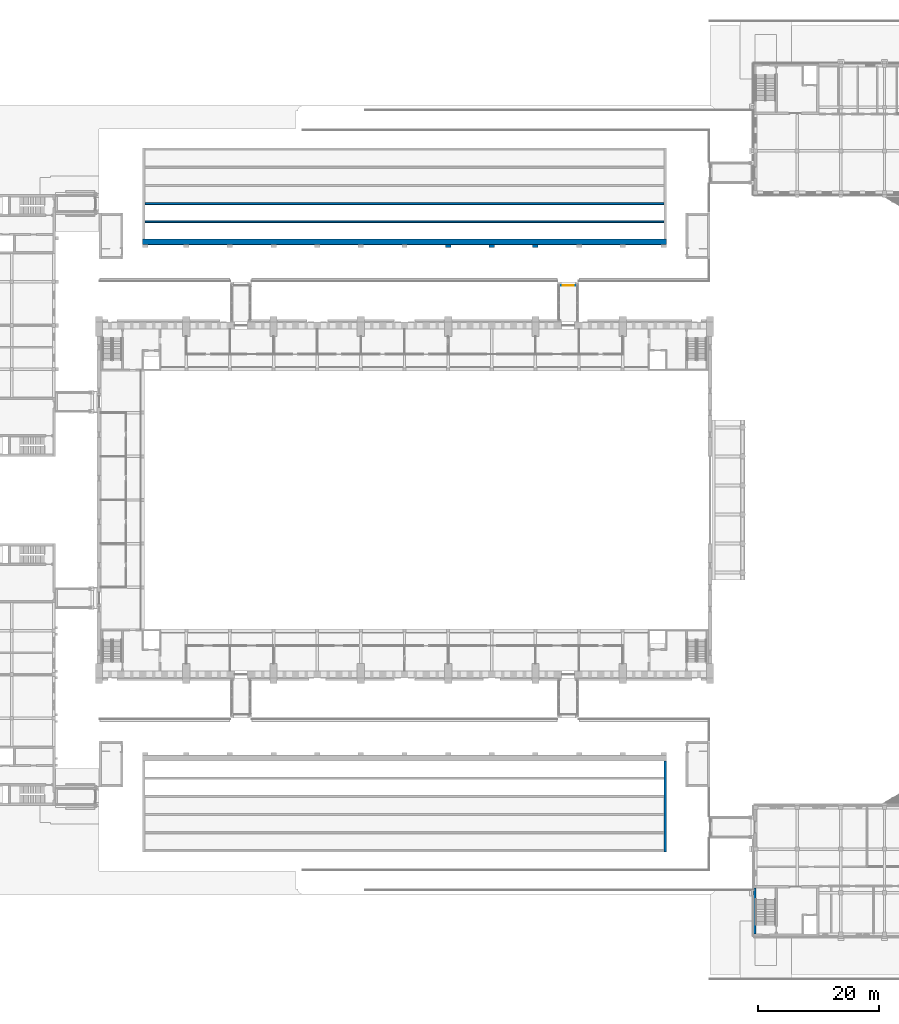
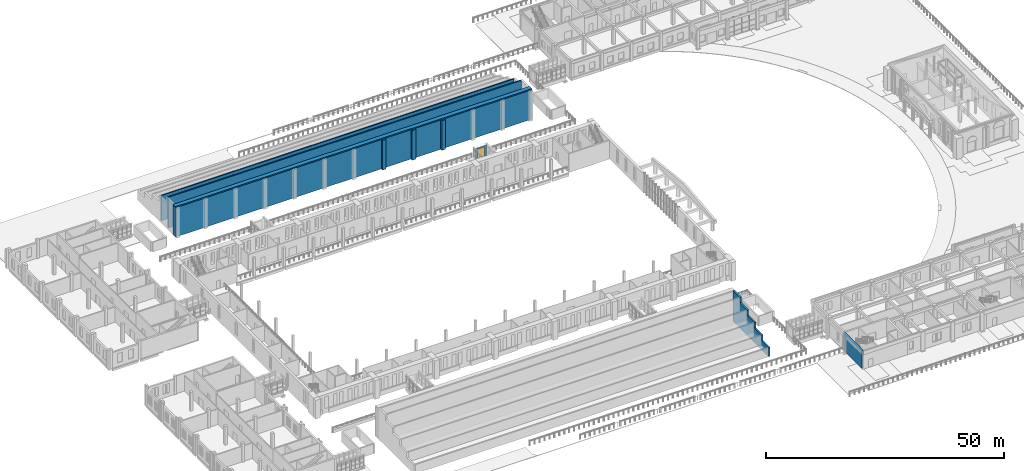
# One storey, part 88 of 131: 10 walls, 1 door, 1 opening.
"""IFC4 building model written with IfcOpenShell, lengths in metres."""

from ifc_helpers import new_model, si_unit, direction, frame, frame_2d, origin, place, context, subcontext, project, spatial, polyline, rectangle, outline, extrude, material, layer, layer_set, type_object, element, fill, save


model = new_model("IFC4")

# Units and contexts
model_context = context("Model", 3, precision=1e-05, world=origin(), true_north=direction((0.0, 1.0)))
body_context = subcontext(model_context, "Body", "Model", "MODEL_VIEW")
ifc_project = project(units=[si_unit("LENGTHUNIT", "METRE"), si_unit("AREAUNIT", "SQUARE_METRE"), si_unit("VOLUMEUNIT", "CUBIC_METRE"), si_unit("PLANEANGLEUNIT", "RADIAN"), si_unit("MASSUNIT", "GRAM", prefix="KILO")], contexts=[model_context])

# Site, building, storey
site_placement = place(None, origin())
site = spatial("IfcSite", under=ifc_project, at=site_placement, CompositionType="ELEMENT")
building_placement = place(site_placement, origin())
building = spatial("IfcBuilding", under=site, at=building_placement, Name="Alderwick Market Hall", CompositionType="ELEMENT")
storey_placement = place(building_placement, frame((0.0, 0.0, 4.800048828125)))
storey = spatial("IfcBuildingStorey", under=building, at=storey_placement, Name="L00", CompositionType="ELEMENT", Elevation=4.800048828125)

# Walls
ifc_material_1 = material(Name="Cast stone 5000 psi", Category="masonry")
ifc_layer_1 = layer(ifc_material_1, 1.0)
ifc_layer_set_1 = layer_set([ifc_layer_1], Name="Cast stone 5000 psi")
wall_type_1 = type_object("IfcWallType", Name="A Cast Stone Bank Coping 1000", PredefinedType="SOLIDWALL", material=ifc_layer_set_1)
wall_1_placement = place(storey_placement, frame((57.60009765625, 121.75, 7.599853515625), z_axis=(0.0, 0.0, 1.0), x_axis=(1.0, 0.0, 0.0)))
element("IfcWall", 1, at=wall_1_placement, inside=storey, type_object=wall_type_1, Name="Bank coping", PredefinedType="SOLIDWALL", context=body_context, shape_type="SweptSolid", body=[
    extrude(rectangle(XDim=86.39990234375, YDim=1.0, at=frame_2d((43.199951171875, 0.0))), origin(), (0.0, 0.0, 1.0), 0.300048828125),
])
ifc_material_2 = material(Name="Concrete 5000 psi (f'c 35 MPa)", Category="concrete")
ifc_layer_2 = layer(ifc_material_2, 0.89990234375)
ifc_layer_set_2 = layer_set([ifc_layer_2], Name="Concrete 5000 psi (f'c 35 MPa)")
wall_type_2 = type_object("IfcWallType", Name="A RC Bank Buttress 900", PredefinedType="SOLIDWALL", material=ifc_layer_set_2)
for number, where, z_axis, x_axis, name in (
    (2, (108.0, 121.35009765625, 0.0), (0.0, 0.0, 1.0), (0.0, -1.0, 0.0), "Bank buttress"),
    (3, (115.199951171875, 121.35009765625, 0.0), (0.0, 0.0, 1.0), (0.0, -1.0, 0.0), "Bank buttress"),
    (4, (122.39990234375, 121.35009765625, 0.0), (0.0, 0.0, 1.0), (0.0, -1.0, 0.0), "Bank buttress"),
):
    element("IfcWall", number, at=place(storey_placement, frame(where, z_axis=z_axis, x_axis=x_axis)), inside=storey, type_object=wall_type_2, Name=name, PredefinedType="SOLIDWALL", context=body_context, shape_type="SweptSolid", body=[
        extrude(rectangle(XDim=0.5, YDim=0.89990234375, at=frame_2d((0.25, 0.0))), origin(), (0.0, 0.0, 1.0), 7.599853515625),
    ])
ifc_layer_3 = layer(ifc_material_2, 0.39990234375)
ifc_layer_set_3 = layer_set([ifc_layer_3], Name="Concrete 5000 psi (f'c 35 MPa)")
wall_type_3 = type_object("IfcWallType", Name="A RC Bank Cheek Wall 400", PredefinedType="SOLIDWALL", material=ifc_layer_set_3)
wall_2_placement = place(storey_placement, frame((143.800048828125, 36.14990234375, 0.0), z_axis=(0.0, 0.0, 1.0), x_axis=(0.0, -1.0, 0.0)))
element("IfcWall", 5, at=wall_2_placement, inside=storey, type_object=wall_type_3, Name="Bank cheek wall", PredefinedType="SOLIDWALL", context=body_context, shape_type="SweptSolid", body=[
    extrude(outline(polyline([(0.0, 0.0), (15.0, 0.0), (15.0, 2.300048828125), (12.0009765625, 2.300048828125), (12.0, 3.699951171875), (9.0009765625, 3.699951171875), (9.0, 5.099853515625), (6.0009765625, 5.099853515625), (6.0, 6.5), (3.0009765625, 6.5), (3.0, 7.89990234375), (0.0, 7.89990234375), (0.0, 0.0)])), frame((0.0, 0.199951171875, 0.0), z_axis=(0.0, -1.0, 0.0), x_axis=(1.0, 0.0, 0.0)), (0.0, 0.0, 1.0), 0.39990234375),
])
ifc_layer_4 = layer(ifc_material_2, 0.89990234375)
ifc_layer_set_4 = layer_set([ifc_layer_4], Name="Concrete 5000 psi (f'c 35 MPa)")
wall_type_4 = type_object("IfcWallType", Name="A RC Bank Retaining Wall 900", PredefinedType="SOLIDWALL", material=ifc_layer_set_4)
wall_3_placement = place(storey_placement, frame((57.60009765625, 121.800048828125, 0.0), z_axis=(0.0, 0.0, 1.0), x_axis=(1.0, 0.0, 0.0)))
element("IfcWall", 6, at=wall_3_placement, inside=storey, type_object=wall_type_4, Name="Bank retaining wall", PredefinedType="SOLIDWALL", context=body_context, shape_type="SweptSolid", body=[
    extrude(rectangle(XDim=86.39990234375, YDim=0.89990234375, at=frame_2d((43.199951171875, 0.0))), origin(), (0.0, 0.0, 1.0), 7.599853515625),
])
ifc_layer_5 = layer(ifc_material_2, 0.300048828125)
ifc_layer_set_5 = layer_set([ifc_layer_5], Name="Concrete 5000 psi (f'c 35 MPa)")
wall_type_5 = type_object("IfcWallType", Name="A RC Terrace Parapet Wall 300", PredefinedType="SOLIDWALL", material=ifc_layer_set_5)
wall_4_placement = place(storey_placement, frame((58.0, 125.10009765625, 0.0), z_axis=(0.0, 0.0, 1.0), x_axis=(1.0, 0.0, 0.0)))
element("IfcWall", 7, at=wall_4_placement, inside=storey, type_object=wall_type_5, Name="Terrace parapet wall 1", PredefinedType="SOLIDWALL", context=body_context, shape_type="SweptSolid", body=[
    extrude(rectangle(XDim=85.60009765625, YDim=0.300048828125, at=frame_2d((42.800048828125, 0.0))), origin(), (0.0, 0.0, 1.0), 7.89990234375),
])
wall_5_placement = place(storey_placement, frame((58.0, 128.10009765625, 0.0), z_axis=(0.0, 0.0, 1.0), x_axis=(1.0, 0.0, 0.0)))
element("IfcWall", 8, at=wall_5_placement, inside=storey, type_object=wall_type_5, Name="Terrace parapet wall 2", PredefinedType="SOLIDWALL", context=body_context, shape_type="SweptSolid", body=[
    extrude(rectangle(XDim=85.60009765625, YDim=0.300048828125, at=frame_2d((42.800048828125, 0.0))), origin(), (0.0, 0.0, 1.0), 6.5),
])
ifc_layer_6 = layer(ifc_material_2, 0.39990234375)
ifc_layer_set_6 = layer_set([ifc_layer_6], Name="Concrete 5000 psi (f'c 35 MPa)")
wall_type_6 = type_object("IfcWallType", Name="C Core Wall Concrete 5000 psi 400", PredefinedType="SHEAR", material=ifc_layer_set_6)
wall_6_placement = place(storey_placement, frame((158.60009765625, 7.60009765625, 0.0), z_axis=(0.0, 0.0, 1.0), x_axis=(0.0, 1.0, 0.0)))
element("IfcWall", 9, at=wall_6_placement, inside=storey, type_object=wall_type_6, Name="C.wall.L00.fac.west.03", PredefinedType="SHEAR", context=body_context, shape_type="SweptSolid", body=[
    extrude(rectangle(XDim=7.599853515625, YDim=0.39990234375, at=frame_2d((3.7998046875, 0.0))), origin(), (0.0, 0.0, 1.0), 4.550048828125),
])

# Wall, opening, door
ifc_material_3 = material(Name="Aluminium frame with glazing infill", Category="aluminium")
ifc_layer_7 = layer(ifc_material_3, 0.1201171875)
ifc_layer_set_7 = layer_set([ifc_layer_7], Name="Aluminium frame with glazing infill")
wall_type_7 = type_object("IfcWallType", Name="P Glazed End Wall 120", PredefinedType="SOLIDWALL", material=ifc_layer_set_7)
wall_7_placement = place(storey_placement, frame((126.3759765625, 114.590087890625, 0.0), z_axis=(0.0, 0.0, 1.0), x_axis=(1.0, 0.0, 0.0)))
wall_7 = element("IfcWall", 10, at=wall_7_placement, inside=storey, type_object=wall_type_7, Name="P.P2.endwall.high", PredefinedType="SOLIDWALL", context=body_context, shape_type="SweptSolid", body=[
    extrude(rectangle(XDim=2.84814453125, YDim=0.1201171875, at=frame_2d((1.424072265625, 0.0))), origin(), (0.0, 0.0, 1.0), 2.7529296875),
])
opening_placement = place(wall_7_placement, frame((0.52392578125, 0.0, 0.0)))
opening = element("IfcOpeningElement", 11, at=opening_placement, cuts=wall_7, Name="Opening P-D002", PredefinedType="OPENING", context=body_context, shape_type="SweptSolid", body=[
    extrude(rectangle(XDim=1.800048828125, YDim=2.39990234375, at=frame_2d((0.89990234375, 1.199951171875))), frame((0.0, 0.070068359375, 0.0), z_axis=(0.0, -1.0, 0.0), x_axis=(1.0, 0.0, 0.0)), (0.0, 0.0, 1.0), 0.14013671875),
])
ifc_material_4 = material(Name="Aluminium frame and glass", Category="aluminium")
door_type = type_object("IfcDoorType", Name="P Glazed Double Door 1800x2400", OperationType="DOUBLE_DOOR_DOUBLE_SWING", PredefinedType="DOOR", material=ifc_material_4)
door_placement = place(opening_placement, origin())
door = element("IfcDoor", 12, at=door_placement, inside=storey, type_object=door_type, Name="Passage door onto the roof", OperationType="DOUBLE_DOOR_DOUBLE_SWING", OverallHeight=2.39990234375, OverallWidth=1.800048828125, PredefinedType="DOOR", context=body_context, shape_type="SweptSolid", body=[
    extrude(rectangle(XDim=1.800048828125, YDim=2.39990234375, at=frame_2d((0.89990234375, 1.199951171875))), frame((0.0, 0.02490234375, 0.0), z_axis=(0.0, -1.0, 0.0), x_axis=(1.0, 0.0, 0.0)), (0.0, 0.0, 1.0), 0.050048828125),
])
fill(opening, door)

save(model, "model.ifc")
